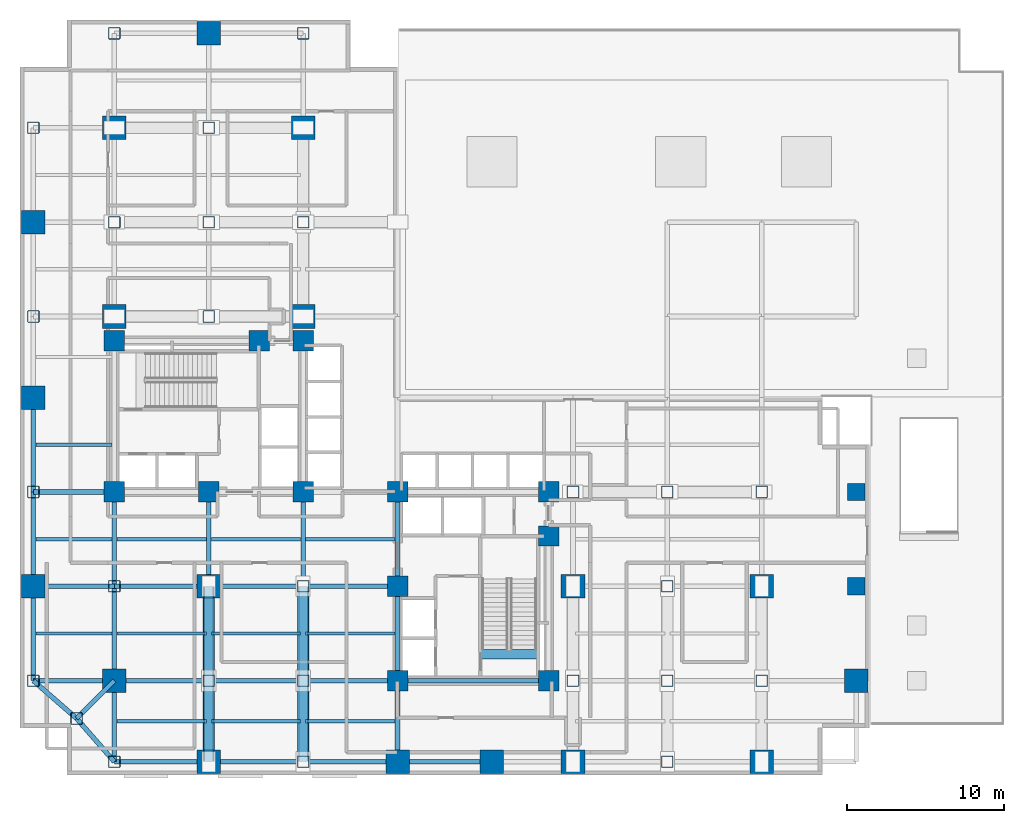
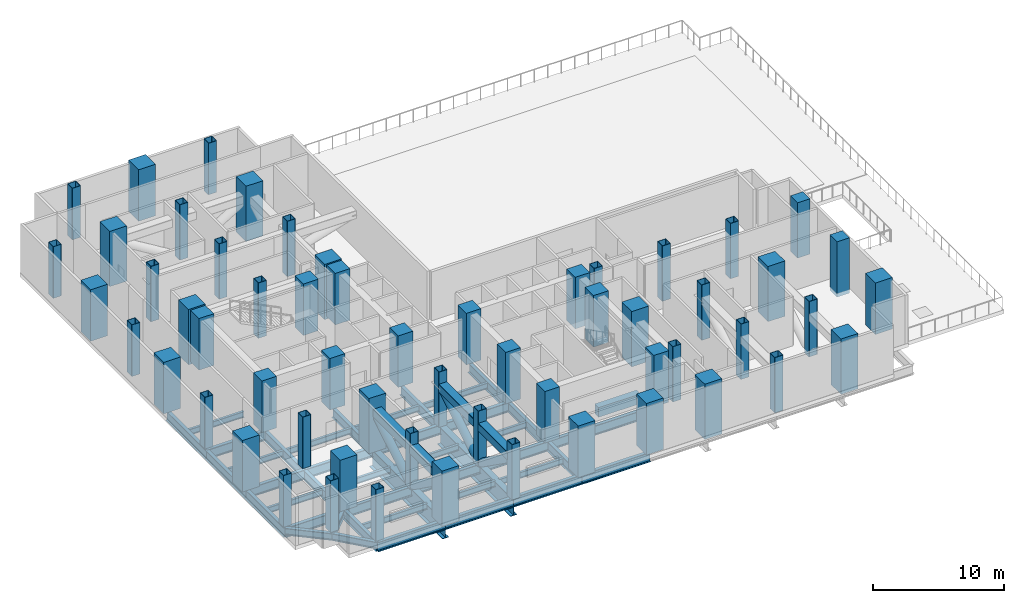
# One storey, part 1 of 8: 58 columns, 43 beams, 6 members.
"""IFC4 building model written with IfcOpenShell, lengths in metres."""

import ifcopenshell
import ifcopenshell.guid

model = None  # the IFC model being written
_history = None  # IfcOwnerHistory: only IFC2X3 demands one
_inside = {}  # id of a spatial element -> (the spatial element, [elements in it])
_under = {}  # id of a project, library or spatial element -> (it, [spatial elements below it])
_declared = {}  # id of a project -> (the project, [libraries it declares])
_typed = {}  # id of a type object -> (the type object, [elements of that type])
_made_of = {}  # id of a material, layer set ... -> (it, [elements and type objects made of it])


def new_model(schema):
    """Start an empty IFC model of exactly this schema.

    Asked for "IFC4X3", IfcOpenShell would pick the latest addendum, in which some entities
    have other attributes; the version numbers below select the first issue.
    IFC2X3 requires an IfcOwnerHistory on every rooted entity: one is made here for all.
    """
    global model, _history
    if schema == "IFC4X3":
        model = ifcopenshell.file(schema_version=(4, 3, 0, 0))
    else:
        model = ifcopenshell.file(schema=schema)
    _inside.clear()
    _under.clear()
    _declared.clear()
    _typed.clear()
    _made_of.clear()
    _history = None
    if model.schema == "IFC2X3":
        org = make("IfcOrganization", Name="unknown")
        user = make(
            "IfcPersonAndOrganization",
            ThePerson=make("IfcPerson", FamilyName="unknown"),
            TheOrganization=org,
        )
        app = make(
            "IfcApplication",
            ApplicationDeveloper=org,
            Version="unknown",
            ApplicationFullName="unknown",
            ApplicationIdentifier="unknown",
        )
        _history = make(
            "IfcOwnerHistory",
            OwningUser=user,
            OwningApplication=app,
            ChangeAction="ADDED",
            CreationDate=0,
        )
    return model


def make(cls, **values):
    """One entity of the class cls with the attributes given. An attribute that is None is left unset."""
    return model.create_entity(
        cls, **{name: value for name, value in values.items() if value is not None}
    )


def rooted(cls, **values):
    """An entity with a GlobalId (a new one), such as an element, a storey or a relation."""
    return make(cls, GlobalId=ifcopenshell.guid.new(), OwnerHistory=_history, **values)


def si_unit(unit_type, name, prefix=None):
    """IfcSIUnit, for example si_unit("LENGTHUNIT", "METRE", prefix="MILLI")."""
    return make("IfcSIUnit", UnitType=unit_type, Prefix=prefix, Name=name)


def assignment(units):
    """IfcUnitAssignment: the units of a project."""
    return None if units is None else make("IfcUnitAssignment", Units=units)


def point(xyz):
    """IfcCartesianPoint."""
    return None if xyz is None else make("IfcCartesianPoint", Coordinates=xyz)


def direction(xyz):
    """IfcDirection."""
    return None if xyz is None else make("IfcDirection", DirectionRatios=xyz)


def frame(location, z_axis=None, x_axis=None):
    """IfcAxis2Placement3D, a coordinate frame: its origin and axes. An axis left out is left unset."""
    return make(
        "IfcAxis2Placement3D",
        Location=point(location),
        Axis=direction(z_axis),
        RefDirection=direction(x_axis),
    )


def frame_2d(location, x_axis=None):
    """IfcAxis2Placement2D, a coordinate frame in the plane: its origin and x axis."""
    return make(
        "IfcAxis2Placement2D", Location=point(location), RefDirection=direction(x_axis)
    )


def origin():
    """The frame at (0, 0, 0) with its axes left unset."""
    return frame((0.0, 0.0, 0.0))


def origin_2d():
    """The frame at (0, 0) in the plane with its x axis left unset."""
    return frame_2d((0.0, 0.0))


def place(relative_to, where):
    """IfcLocalPlacement: puts the frame where relative to a parent placement (None: the world)."""
    return make(
        "IfcLocalPlacement", PlacementRelTo=relative_to, RelativePlacement=where
    )


def context(
    kind, dimensions, precision=None, world=None, true_north=None, identifier=None
):
    """IfcGeometricRepresentationContext, for example the 3D "Model" context."""
    return make(
        "IfcGeometricRepresentationContext",
        ContextIdentifier=identifier,
        ContextType=kind,
        CoordinateSpaceDimension=dimensions,
        Precision=precision,
        WorldCoordinateSystem=world,
        TrueNorth=true_north,
    )


def subcontext(parent, identifier, kind, view, scale=None):
    """IfcGeometricRepresentationSubContext, for example "Body" below "Model"."""
    return make(
        "IfcGeometricRepresentationSubContext",
        ContextIdentifier=identifier,
        ContextType=kind,
        ParentContext=parent,
        TargetScale=scale,
        TargetView=view,
    )


def project(units=None, contexts=None):
    """IfcProject with its units and contexts."""
    return rooted(
        "IfcProject",
        Name="project",
        RepresentationContexts=contexts,
        UnitsInContext=assignment(units),
    )


def spatial(cls, under=None, at=None, **own):
    """A site, building, storey or space (cls), placed at a placement, below another one or the project."""
    s = rooted(cls, ObjectPlacement=at, **own)
    if under is not None:
        _under.setdefault(under.id(), (under, []))[1].append(s)
    return s


def profile(cls, at=None, kind="AREA", **sizes):
    """A parametric profile (cls). Its sizes go by their IFC names, for example OverallWidth=200.0."""
    return make(cls, ProfileType=kind, Position=at, **sizes)


def rectangle(**sizes):
    """IfcRectangleProfileDef."""
    return profile("IfcRectangleProfileDef", **sizes)


def hollow_rectangle(**sizes):
    """IfcRectangleHollowProfileDef."""
    return profile("IfcRectangleHollowProfileDef", **sizes)


def hollow_circle(**sizes):
    """IfcCircleHollowProfileDef."""
    return profile("IfcCircleHollowProfileDef", **sizes)


def i_section(**sizes):
    """IfcIShapeProfileDef."""
    return profile("IfcIShapeProfileDef", **sizes)


def extrude(swept, where, along, depth):
    """IfcExtrudedAreaSolid: the profile swept, set in the frame where, extruded along a direction by depth."""
    return make(
        "IfcExtrudedAreaSolid",
        SweptArea=swept,
        Position=where,
        ExtrudedDirection=direction(along),
        Depth=depth,
    )


def shape(context_of_items, identifier, shape_type, items):
    """IfcShapeRepresentation: the items that make up one representation, for example the "Body"."""
    return make(
        "IfcShapeRepresentation",
        ContextOfItems=context_of_items,
        RepresentationIdentifier=identifier,
        RepresentationType=shape_type,
        Items=items,
    )


def material(Name=None, Category=None):
    """IfcMaterial."""
    return make("IfcMaterial", Name=Name, Category=Category)


def material_profile(
    of_material, cross_section, Name=None, Category=None, Priority=None
):
    """IfcMaterialProfile: a cross section and its material."""
    return make(
        "IfcMaterialProfile",
        Name=Name,
        Material=of_material,
        Profile=cross_section,
        Priority=Priority,
        Category=Category,
    )


def profile_set(profiles, Name=None, composite=None):
    """IfcMaterialProfileSet."""
    return make(
        "IfcMaterialProfileSet",
        Name=Name,
        MaterialProfiles=profiles,
        CompositeProfile=composite,
    )


def made_of(thing, what):
    """Note that an element or type object is made of a material, layer set ...; save() writes the relation."""
    if what is not None:
        _made_of.setdefault(what.id(), (what, []))[1].append(thing)
    return thing


def type_object(cls, material=None, **own):
    """A type object (cls), such as IfcWallType, which elements share."""
    return made_of(rooted(cls, **own), material)


def element(
    cls,
    number,
    at=None,
    inside=None,
    cuts=None,
    type_object=None,
    material=None,
    context=None,
    identifier="Body",
    shape_type=None,
    held_by="IfcProductDefinitionShape",
    body=None,
    shapes=None,
    **own,
):
    """One element of the class cls, such as IfcWall. Its Tag is "e" and its number.

    at: its placement. inside: the storey or other place that contains it. cuts: it is an
    opening in that element (IfcRelVoidsElement). A single representation is given by context,
    identifier, shape_type and body (its items); several are given by shapes. held_by: the class
    of the entity that holds the representations. save() writes the other relations.
    """
    e = rooted(cls, Tag="e%d" % number, ObjectPlacement=at, **own)
    if body is not None:
        shapes = [shape(context, identifier, shape_type, body)]
    if shapes is not None:
        e.Representation = make(held_by, Representations=shapes)
    if inside is not None:
        _inside.setdefault(inside.id(), (inside, []))[1].append(e)
    if cuts is not None:
        rooted(
            "IfcRelVoidsElement", RelatingBuildingElement=cuts, RelatedOpeningElement=e
        )
    if type_object is not None:
        _typed.setdefault(type_object.id(), (type_object, []))[1].append(e)
    return made_of(e, material)


def aggregate(whole, parts):
    """IfcRelAggregates: a whole, such as a stair, and the parts it consists of."""
    return rooted("IfcRelAggregates", RelatingObject=whole, RelatedObjects=parts)


def save(model, path):
    """Write the relations noted so far, then the file.

    IfcRelAggregates (storeys below a building ...), IfcRelContainedInSpatialStructure (elements
    in a storey), IfcRelDefinesByType, IfcRelAssociatesMaterial and IfcRelDeclares: one each for
    every whole, place, type object, material and project.
    """
    for whole, parts in _under.values():
        aggregate(whole, parts)
    for where, things in _inside.values():
        rooted(
            "IfcRelContainedInSpatialStructure",
            RelatedElements=things,
            RelatingStructure=where,
        )
    for kind, things in _typed.values():
        rooted("IfcRelDefinesByType", RelatedObjects=things, RelatingType=kind)
    for what, things in _made_of.values():
        rooted("IfcRelAssociatesMaterial", RelatedObjects=things, RelatingMaterial=what)
    for by, libraries in _declared.values():
        rooted("IfcRelDeclares", RelatingContext=by, RelatedDefinitions=libraries)
    model.write(path)


model = new_model("IFC4")

# Units and contexts
model_context = context("Model", 3, precision=1e-05, world=origin(), true_north=direction((0.0, 1.0)))
body_context = subcontext(model_context, "Body", "Model", "MODEL_VIEW")
ifc_project = project(units=[si_unit("LENGTHUNIT", "METRE"), si_unit("AREAUNIT", "SQUARE_METRE"), si_unit("VOLUMEUNIT", "CUBIC_METRE"), si_unit("PLANEANGLEUNIT", "RADIAN"), si_unit("MASSUNIT", "GRAM", prefix="KILO"), si_unit("THERMODYNAMICTEMPERATUREUNIT", "KELVIN"), si_unit("POWERUNIT", "WATT")], contexts=[model_context])

# Site, building, storey
site_placement = place(None, origin())
site = spatial("IfcSite", under=ifc_project, at=site_placement, CompositionType="ELEMENT")
building_placement = place(site_placement, origin())
building = spatial("IfcBuilding", under=site, at=building_placement, Name="Svarakhadi Broadcast Tower", CompositionType="ELEMENT")
storey_placement = place(building_placement, frame((0.0, 0.0, 27.60009765625)))
storey = spatial("IfcBuildingStorey", under=building, at=storey_placement, Name="L05", CompositionType="ELEMENT", Elevation=27.60009765625)

# Columns
ifc_material_1 = material(Name="Steel S460ML (IS 2062 E450BR)", Category="steel")
ifc_material_profile_1 = material_profile(ifc_material_1, hollow_rectangle(XDim=0.75, YDim=0.75, WallThickness=0.034912109375, InnerFilletRadius=0.034912109375, OuterFilletRadius=0.050048828125, at=origin_2d()), Name="BOX 750x750x35")
ifc_profile_set_1 = profile_set([ifc_material_profile_1], Name="Steel S460ML (IS 2062 E450BR)")
column_type_1 = type_object("IfcColumnType", Name="Col_BOX750", PredefinedType="COLUMN", material=ifc_profile_set_1)
for number, where, z_axis, x_axis, name in (
    (1, (3.60009765625, 3.60009765625, 0.0), (0.0, 0.0, 1.0), (1.0, 0.0, 0.0), "L05 Column G01"),
    (2, (0.85009765625, 6.0, 0.0), (0.0, 0.0, 1.0), (1.0, 0.0, 0.0), "L05 Column G03"),
    (3, (0.85009765625, 18.0, 0.0), (0.0, 0.0, 1.0), (1.0, 0.0, 0.0), "L05 Column G05"),
    (4, (0.85009765625, 29.14990234375, 0.0), (0.0, 0.0, 1.0), (1.0, 0.0, 0.0), "L05 Column G07"),
    (5, (0.85009765625, 41.14990234375, 0.0), (0.0, 0.0, 1.0), (1.0, 0.0, 0.0), "L05 Column G09"),
    (6, (6.0, 0.85009765625, 0.0), (0.0, 0.0, 1.0), (1.0, 0.0, 0.0), "L05 Column G11"),
    (7, (6.0, 12.0, 0.0), (0.0, 0.0, 1.0), (1.0, 0.0, 0.0), "L05 Column G13"),
):
    element("IfcColumn", number, at=place(storey_placement, frame(where, z_axis=z_axis, x_axis=x_axis)), inside=storey, type_object=column_type_1, Name=name, PredefinedType="COLUMN", context=body_context, shape_type="SweptSolid", body=[
        extrude(hollow_rectangle(XDim=0.75, YDim=0.75, WallThickness=0.034912109375, InnerFilletRadius=0.034912109375, OuterFilletRadius=0.050048828125, at=origin_2d()), origin(), (0.0, 0.0, 1.0), 4.7998046875),
    ])
column_1_placement = place(storey_placement, frame((6.0, 35.14990234375, -0.35009765625), z_axis=(0.0, 0.0, 1.0), x_axis=(1.0, 0.0, 0.0)))
element("IfcColumn", 8, at=column_1_placement, inside=storey, type_object=column_type_1, Name="L05 Column G15", PredefinedType="COLUMN", context=body_context, shape_type="SweptSolid", body=[
    extrude(hollow_rectangle(XDim=0.75, YDim=0.75, WallThickness=0.034912109375, InnerFilletRadius=0.034912109375, OuterFilletRadius=0.050048828125, at=origin_2d()), origin(), (0.0, 0.0, 1.0), 5.14990234375),
])
column_2_placement = place(storey_placement, frame((6.0, 47.14990234375, 0.0), z_axis=(0.0, 0.0, 1.0), x_axis=(1.0, 0.0, 0.0)))
element("IfcColumn", 9, at=column_2_placement, inside=storey, type_object=column_type_1, Name="L05 Column G17", PredefinedType="COLUMN", context=body_context, shape_type="SweptSolid", body=[
    extrude(hollow_rectangle(XDim=0.75, YDim=0.75, WallThickness=0.034912109375, InnerFilletRadius=0.034912109375, OuterFilletRadius=0.050048828125, at=origin_2d()), origin(), (0.0, 0.0, 1.0), 4.7998046875),
])
for number, where, z_axis, x_axis, name in (
    (10, (12.0, 6.0, -0.35009765625), (0.0, 0.0, 1.0), (1.0, 0.0, 0.0), "L05 Column G19"),
    (11, (12.0, 29.14990234375, -0.35009765625), (0.0, 0.0, 1.0), (1.0, 0.0, 0.0), "L05 Column G21"),
    (12, (12.0, 35.14990234375, -0.35009765625), (0.0, 0.0, 1.0), (1.0, 0.0, 0.0), "L05 Column G22"),
    (13, (12.0, 41.14990234375, -0.35009765625), (0.0, 0.0, 1.0), (1.0, 0.0, 0.0), "L05 Column G23"),
    (14, (18.0, 0.85009765625, -0.35009765625), (0.0, 0.0, 1.0), (1.0, 0.0, 0.0), "L05 Column G25"),
    (15, (18.0, 6.0, -0.35009765625), (0.0, 0.0, 1.0), (1.0, 0.0, 0.0), "L05 Column G26"),
    (16, (18.0, 12.0, -0.35009765625), (0.0, 0.0, 1.0), (1.0, 0.0, 0.0), "L05 Column G27"),
    (17, (18.0, 35.14990234375, -0.35009765625), (0.0, 0.0, 1.0), (1.0, 0.0, 0.0), "L05 Column G29"),
):
    element("IfcColumn", number, at=place(storey_placement, frame(where, z_axis=z_axis, x_axis=x_axis)), inside=storey, type_object=column_type_1, Name=name, PredefinedType="COLUMN", context=body_context, shape_type="SweptSolid", body=[
        extrude(hollow_rectangle(XDim=0.75, YDim=0.75, WallThickness=0.034912109375, InnerFilletRadius=0.034912109375, OuterFilletRadius=0.050048828125, at=origin_2d()), origin(), (0.0, 0.0, 1.0), 5.14990234375),
    ])
column_3_placement = place(storey_placement, frame((18.0, 47.14990234375, 0.0), z_axis=(0.0, 0.0, 1.0), x_axis=(1.0, 0.0, 0.0)))
element("IfcColumn", 18, at=column_3_placement, inside=storey, type_object=column_type_1, Name="L05 Column G31", PredefinedType="COLUMN", context=body_context, shape_type="SweptSolid", body=[
    extrude(hollow_rectangle(XDim=0.75, YDim=0.75, WallThickness=0.034912109375, InnerFilletRadius=0.034912109375, OuterFilletRadius=0.050048828125, at=origin_2d()), origin(), (0.0, 0.0, 1.0), 4.7998046875),
])
for number, where, z_axis, x_axis, name in (
    (19, (35.14990234375, 6.0, -0.35009765625), (0.0, 0.0, 1.0), (1.0, 0.0, 0.0), "L05 Column G39"),
    (20, (35.14990234375, 18.0, -0.35009765625), (0.0, 0.0, 1.0), (1.0, 0.0, 0.0), "L05 Column G41"),
    (21, (41.14990234375, 0.85009765625, -0.35009765625), (0.0, 0.0, 1.0), (1.0, 0.0, 0.0), "L05 Column G43"),
    (22, (41.14990234375, 6.0, -0.35009765625), (0.0, 0.0, 1.0), (1.0, 0.0, 0.0), "L05 Column G44"),
    (23, (41.14990234375, 12.0, -0.35009765625), (0.0, 0.0, 1.0), (1.0, 0.0, 0.0), "L05 Column G45"),
    (24, (41.14990234375, 18.0, -0.35009765625), (0.0, 0.0, 1.0), (1.0, 0.0, 0.0), "L05 Column G46"),
    (25, (47.14990234375, 6.0, -0.35009765625), (0.0, 0.0, 1.0), (1.0, 0.0, 0.0), "L05 Column G51"),
    (26, (47.14990234375, 18.0, -0.35009765625), (0.0, 0.0, 1.0), (1.0, 0.0, 0.0), "L05 Column G53"),
):
    element("IfcColumn", number, at=place(storey_placement, frame(where, z_axis=z_axis, x_axis=x_axis)), inside=storey, type_object=column_type_1, Name=name, PredefinedType="COLUMN", context=body_context, shape_type="SweptSolid", body=[
        extrude(hollow_rectangle(XDim=0.75, YDim=0.75, WallThickness=0.034912109375, InnerFilletRadius=0.034912109375, OuterFilletRadius=0.050048828125, at=origin_2d()), origin(), (0.0, 0.0, 1.0), 5.14990234375),
    ])
ifc_material_2 = material(Name="Concrete C50/60 (IS 456 M60)", Category="concrete")
ifc_material_profile_2 = material_profile(ifc_material_2, rectangle(XDim=1.10009765625, YDim=1.10009765625, at=origin_2d()), Name="RC 1100x1100")
ifc_profile_set_2 = profile_set([ifc_material_profile_2], Name="Concrete C50/60 (IS 456 M60)")
column_type_2 = type_object("IfcColumnType", Name="Col_RC1100", PredefinedType="COLUMN", material=ifc_profile_set_2)
for number, where, z_axis, x_axis, name in (
    (27, (53.14990234375, 12.0, -0.35009765625), (0.0, 0.0, 1.0), (1.0, 0.0, 0.0), "L05 Zone-1 East Stack Column ZT02"),
    (28, (53.14990234375, 18.0, -0.35009765625), (0.0, 0.0, 1.0), (1.0, 0.0, 0.0), "L05 Zone-1 East Stack Column ZT03"),
):
    element("IfcColumn", number, at=place(storey_placement, frame(where, z_axis=z_axis, x_axis=x_axis)), inside=storey, type_object=column_type_2, Name=name, PredefinedType="COLUMN", context=body_context, shape_type="SweptSolid", body=[
        extrude(rectangle(XDim=1.10009765625, YDim=1.10009765625, at=origin_2d()), origin(), (0.0, 0.0, 1.0), 5.14990234375),
    ])
ifc_material_3 = material(Name="Concrete C60/75 (IS 456 M70)", Category="concrete")
ifc_material_profile_3 = material_profile(ifc_material_3, rectangle(XDim=1.300048828125, YDim=1.300048828125, at=origin_2d()), Name="RC 1300x1300")
ifc_profile_set_3 = profile_set([ifc_material_profile_3], Name="Concrete C60/75 (IS 456 M70)")
column_type_3 = type_object("IfcColumnType", Name="Col_RC1300", PredefinedType="COLUMN", material=ifc_profile_set_3)
for number, where, z_axis, x_axis, name in (
    (29, (6.0, 18.0, 0.0), (0.0, 0.0, 1.0), (1.0, 0.0, 0.0), "L05 Column CW1"),
    (30, (12.0, 18.0, 0.0), (0.0, 0.0, 1.0), (1.0, 0.0, 0.0), "L05 Column CW2"),
    (31, (18.0, 18.0, 0.0), (0.0, 0.0, 1.0), (1.0, 0.0, 0.0), "L05 Column CW3"),
    (32, (6.0, 27.60009765625, 0.0), (0.0, 0.0, 1.0), (1.0, 0.0, 0.0), "L05 Column CW4"),
    (33, (15.199951171875, 27.60009765625, 0.0), (0.0, 0.0, 1.0), (1.0, 0.0, 0.0), "L05 Column CW5"),
    (34, (18.0, 27.60009765625, 0.0), (0.0, 0.0, 1.0), (1.0, 0.0, 0.0), "L05 Column CW6"),
    (35, (24.0, 6.0, 0.0), (0.0, 0.0, 1.0), (1.0, 0.0, 0.0), "L05 Column CE1"),
    (36, (24.0, 12.0, 0.0), (0.0, 0.0, 1.0), (1.0, 0.0, 0.0), "L05 Column CE2"),
    (37, (24.0, 18.0, 0.0), (0.0, 0.0, 1.0), (1.0, 0.0, 0.0), "L05 Column CE3"),
    (38, (33.60009765625, 6.0, 0.0), (0.0, 0.0, 1.0), (1.0, 0.0, 0.0), "L05 Column CE4"),
    (39, (33.60009765625, 15.199951171875, 0.0), (0.0, 0.0, 1.0), (1.0, 0.0, 0.0), "L05 Column CE5"),
    (40, (33.60009765625, 18.0, 0.0), (0.0, 0.0, 1.0), (1.0, 0.0, 0.0), "L05 Column CE6"),
):
    element("IfcColumn", number, at=place(storey_placement, frame(where, z_axis=z_axis, x_axis=x_axis)), inside=storey, type_object=column_type_3, Name=name, PredefinedType="COLUMN", context=body_context, shape_type="SweptSolid", body=[
        extrude(rectangle(XDim=1.300048828125, YDim=1.300048828125, at=origin_2d()), origin(), (0.0, 0.0, 1.0), 4.7998046875),
    ])
ifc_material_profile_4 = material_profile(ifc_material_3, rectangle(XDim=1.5, YDim=1.5, at=origin_2d()), Name="RC 1500x1500")
ifc_profile_set_4 = profile_set([ifc_material_profile_4], Name="Concrete C60/75 (IS 456 M70)")
column_type_4 = type_object("IfcColumnType", Name="Col_RC1500", PredefinedType="COLUMN", material=ifc_profile_set_4)
for number, where, z_axis, x_axis, name in (
    (41, (0.85009765625, 12.0, 0.0), (0.0, 0.0, 1.0), (1.0, 0.0, 0.0), "L05 Column G04"),
    (42, (0.85009765625, 24.0, 0.0), (0.0, 0.0, 1.0), (1.0, 0.0, 0.0), "L05 Column G06"),
    (43, (0.85009765625, 35.14990234375, 0.0), (0.0, 0.0, 1.0), (1.0, 0.0, 0.0), "L05 Column G08"),
    (44, (6.0, 6.0, 0.0), (0.0, 0.0, 1.0), (1.0, 0.0, 0.0), "L05 Column G12"),
):
    element("IfcColumn", number, at=place(storey_placement, frame(where, z_axis=z_axis, x_axis=x_axis)), inside=storey, type_object=column_type_4, Name=name, PredefinedType="COLUMN", context=body_context, shape_type="SweptSolid", body=[
        extrude(rectangle(XDim=1.5, YDim=1.5, at=origin_2d()), origin(), (0.0, 0.0, 1.0), 4.7998046875),
    ])
for number, where, z_axis, x_axis, name in (
    (45, (6.0, 29.14990234375, -0.35009765625), (0.0, 0.0, 1.0), (1.0, 0.0, 0.0), "L05 Column G14"),
    (46, (6.0, 41.14990234375, -0.35009765625), (0.0, 0.0, 1.0), (1.0, 0.0, 0.0), "L05 Column G16"),
    (47, (12.0, 0.85009765625, -0.35009765625), (0.0, 0.0, 1.0), (1.0, 0.0, 0.0), "L05 Column G18"),
    (48, (12.0, 12.0, -0.35009765625), (0.0, 0.0, 1.0), (1.0, 0.0, 0.0), "L05 Column G20"),
):
    element("IfcColumn", number, at=place(storey_placement, frame(where, z_axis=z_axis, x_axis=x_axis)), inside=storey, type_object=column_type_4, Name=name, PredefinedType="COLUMN", context=body_context, shape_type="SweptSolid", body=[
        extrude(rectangle(XDim=1.5, YDim=1.5, at=origin_2d()), origin(), (0.0, 0.0, 1.0), 5.14990234375),
    ])
column_4_placement = place(storey_placement, frame((12.0, 47.14990234375, 0.0), z_axis=(0.0, 0.0, 1.0), x_axis=(1.0, 0.0, 0.0)))
element("IfcColumn", 49, at=column_4_placement, inside=storey, type_object=column_type_4, Name="L05 Column G24", PredefinedType="COLUMN", context=body_context, shape_type="SweptSolid", body=[
    extrude(rectangle(XDim=1.5, YDim=1.5, at=origin_2d()), origin(), (0.0, 0.0, 1.0), 4.7998046875),
])
for number, where, z_axis, x_axis, name in (
    (50, (18.0, 29.14990234375, -0.35009765625), (0.0, 0.0, 1.0), (1.0, 0.0, 0.0), "L05 Column G28"),
    (51, (18.0, 41.14990234375, -0.35009765625), (0.0, 0.0, 1.0), (1.0, 0.0, 0.0), "L05 Column G30"),
):
    element("IfcColumn", number, at=place(storey_placement, frame(where, z_axis=z_axis, x_axis=x_axis)), inside=storey, type_object=column_type_4, Name=name, PredefinedType="COLUMN", context=body_context, shape_type="SweptSolid", body=[
        extrude(rectangle(XDim=1.5, YDim=1.5, at=origin_2d()), origin(), (0.0, 0.0, 1.0), 5.14990234375),
    ])
for number, where, z_axis, x_axis, name in (
    (52, (24.0, 0.85009765625, 0.0), (0.0, 0.0, 1.0), (1.0, 0.0, 0.0), "L05 Column G32"),
    (53, (30.0, 0.85009765625, 0.0), (0.0, 0.0, 1.0), (1.0, 0.0, 0.0), "L05 Column G36"),
):
    element("IfcColumn", number, at=place(storey_placement, frame(where, z_axis=z_axis, x_axis=x_axis)), inside=storey, type_object=column_type_4, Name=name, PredefinedType="COLUMN", context=body_context, shape_type="SweptSolid", body=[
        extrude(rectangle(XDim=1.5, YDim=1.5, at=origin_2d()), origin(), (0.0, 0.0, 1.0), 4.7998046875),
    ])
for number, where, z_axis, x_axis, name in (
    (54, (35.14990234375, 0.85009765625, -0.35009765625), (0.0, 0.0, 1.0), (1.0, 0.0, 0.0), "L05 Column G38"),
    (55, (35.14990234375, 12.0, -0.35009765625), (0.0, 0.0, 1.0), (1.0, 0.0, 0.0), "L05 Column G40"),
    (56, (47.14990234375, 0.85009765625, -0.35009765625), (0.0, 0.0, 1.0), (1.0, 0.0, 0.0), "L05 Column G50"),
    (57, (47.14990234375, 12.0, -0.35009765625), (0.0, 0.0, 1.0), (1.0, 0.0, 0.0), "L05 Column G52"),
):
    element("IfcColumn", number, at=place(storey_placement, frame(where, z_axis=z_axis, x_axis=x_axis)), inside=storey, type_object=column_type_4, Name=name, PredefinedType="COLUMN", context=body_context, shape_type="SweptSolid", body=[
        extrude(rectangle(XDim=1.5, YDim=1.5, at=origin_2d()), origin(), (0.0, 0.0, 1.0), 5.14990234375),
    ])
column_5_placement = place(storey_placement, frame((53.14990234375, 6.0, 0.0), z_axis=(0.0, 0.0, 1.0), x_axis=(1.0, 0.0, 0.0)))
element("IfcColumn", 58, at=column_5_placement, inside=storey, type_object=column_type_4, Name="L05 Column G58", PredefinedType="COLUMN", context=body_context, shape_type="SweptSolid", body=[
    extrude(rectangle(XDim=1.5, YDim=1.5, at=origin_2d()), origin(), (0.0, 0.0, 1.0), 4.7998046875),
])

# Beams
ifc_material_4 = material(Name="Steel S355J2 (IS 2062 E350C)", Category="steel")
ifc_material_profile_5 = material_profile(ifc_material_4, i_section(OverallWidth=0.2099609375, OverallDepth=0.550048828125, WebThickness=0.010986328125, FlangeThickness=0.01708984375, FilletRadius=0.02392578125, at=origin_2d()), Name="NPB 550x210x106")
ifc_profile_set_5 = profile_set([ifc_material_profile_5], Name="Steel S355J2 (IS 2062 E350C)")
beam_type_1 = type_object("IfcBeamType", Name="Beam_NPB550", PredefinedType="BEAM", material=ifc_profile_set_5)
for number, where, z_axis, x_axis, name in (
    (59, (1.010009765625, 9.0, -0.625), (1.0, 0.0, 0.0), (0.0, 1.0, 0.0), "L05 Secondary Composite Beam SB001"),
    (60, (1.010009765625, 15.0, -0.625), (1.0, 0.0, 0.0), (0.0, 1.0, 0.0), "L05 Secondary Composite Beam SB002"),
    (61, (1.010009765625, 21.0, -0.625), (1.0, 0.0, 0.0), (0.0, 1.0, 0.0), "L05 Secondary Composite Beam SB003"),
):
    element("IfcBeam", number, at=place(storey_placement, frame(where, z_axis=z_axis, x_axis=x_axis)), inside=storey, type_object=beam_type_1, Name=name, PredefinedType="BEAM", context=body_context, shape_type="SweptSolid", body=[
        extrude(i_section(OverallWidth=0.2099609375, OverallDepth=0.550048828125, WebThickness=0.010986328125, FlangeThickness=0.01708984375, FilletRadius=0.02392578125, at=origin_2d()), origin(), (0.0, 0.0, 1.0), 4.830078125),
    ])
for number, where, z_axis, x_axis, name in (
    (62, (6.159912109375, 3.425048828125, -0.625), (1.0, 0.0, 0.0), (0.0, 1.0, 0.0), "L05 Secondary Composite Beam SB007"),
    (63, (6.159912109375, 9.0, -0.625), (1.0, 0.0, 0.0), (0.0, 1.0, 0.0), "L05 Secondary Composite Beam SB008"),
    (64, (6.159912109375, 15.0, -0.625), (1.0, 0.0, 0.0), (0.0, 1.0, 0.0), "L05 Secondary Composite Beam SB009"),
    (65, (12.159912109375, 3.425048828125, -0.625), (1.0, 0.0, 0.0), (0.0, 1.0, 0.0), "L05 Secondary Composite Beam SB013"),
    (66, (12.159912109375, 9.0, -0.625), (1.0, 0.0, 0.0), (0.0, 1.0, 0.0), "L05 Secondary Composite Beam SB014"),
    (67, (12.159912109375, 15.0, -0.625), (1.0, 0.0, 0.0), (0.0, 1.0, 0.0), "L05 Secondary Composite Beam SB015"),
    (68, (18.159912109375, 3.425048828125, -0.625), (1.0, 0.0, 0.0), (0.0, 1.0, 0.0), "L05 Secondary Composite Beam SB019"),
    (69, (18.159912109375, 9.0, -0.625), (1.0, 0.0, 0.0), (0.0, 1.0, 0.0), "L05 Secondary Composite Beam SB020"),
    (70, (18.159912109375, 15.0, -0.625), (1.0, 0.0, 0.0), (0.0, 1.0, 0.0), "L05 Secondary Composite Beam SB021"),
):
    element("IfcBeam", number, at=place(storey_placement, frame(where, z_axis=z_axis, x_axis=x_axis)), inside=storey, type_object=beam_type_1, Name=name, PredefinedType="BEAM", context=body_context, shape_type="SweptSolid", body=[
        extrude(i_section(OverallWidth=0.2099609375, OverallDepth=0.550048828125, WebThickness=0.010986328125, FlangeThickness=0.01708984375, FilletRadius=0.02392578125, at=origin_2d()), origin(), (0.0, 0.0, 1.0), 5.68017578125),
    ])
ifc_material_profile_6 = material_profile(ifc_material_2, rectangle(XDim=0.60009765625, YDim=0.89990234375, at=origin_2d()), Name="RC 600x900")
ifc_profile_set_6 = profile_set([ifc_material_profile_6], Name="Concrete C50/60 (IS 456 M60)")
beam_type_2 = type_object("IfcBeamType", Name="Coupling_RC600", PredefinedType="USERDEFINED", material=ifc_profile_set_6)
beam_1_placement = place(storey_placement, frame((29.260009765625, 7.679931640625, -0.4501953125), z_axis=(1.0, 0.0, 0.0), x_axis=(0.0, 1.0, 0.0)))
element("IfcBeam", 71, at=beam_1_placement, inside=storey, type_object=beam_type_2, Name="L05 Stair ST-02 Landing Throat Trimmer Beam CB-01", ObjectType="GIRDER", PredefinedType="USERDEFINED", context=body_context, shape_type="SweptSolid", body=[
    extrude(rectangle(XDim=0.60009765625, YDim=0.89990234375, at=origin_2d()), origin(), (0.0, 0.0, 1.0), 3.679931640625),
])
ifc_material_profile_7 = material_profile(ifc_material_4, i_section(OverallWidth=0.300048828125, OverallDepth=0.64990234375, WebThickness=0.01611328125, FlangeThickness=0.031005859375, FilletRadius=0.027099609375, at=origin_2d()), Name="WPB 650x300x225")
ifc_profile_set_7 = profile_set([ifc_material_profile_7], Name="Steel S355J2 (IS 2062 E350C)")
beam_type_3 = type_object("IfcBeamType", Name="Girder_WPB650", PredefinedType="USERDEFINED", material=ifc_profile_set_7)
beam_2_placement = place(storey_placement, frame((3.60009765625, 3.60009765625, -0.675048828125), z_axis=(0.707106781187, 0.707106781187, 0.0), x_axis=(-0.707106781187, 0.707106781187, 0.0)))
element("IfcBeam", 72, at=beam_2_placement, inside=storey, type_object=beam_type_3, Name="L05 Corner Tie Girder G001", ObjectType="GIRDER", PredefinedType="USERDEFINED", context=body_context, shape_type="SweptSolid", body=[
    extrude(i_section(OverallWidth=0.300048828125, OverallDepth=0.64990234375, WebThickness=0.01611328125, FlangeThickness=0.031005859375, FilletRadius=0.027099609375, at=origin_2d()), origin(), (0.0, 0.0, 1.0), 3.39404296875),
])
for number, where, z_axis, x_axis, name in (
    (73, (3.60009765625, 3.60009765625, -0.675048828125), (-0.753437912176, 0.657519058655, 0.0), (-0.657519058655, -0.753437912176, 0.0), "L05 Corner Tie Girder G002"),
    (74, (3.60009765625, 3.60009765625, -0.675048828125), (0.657519058655, -0.753437912176, 0.0), (0.753437912176, 0.657519058655, 0.0), "L05 Corner Tie Girder G003"),
):
    element("IfcBeam", number, at=place(storey_placement, frame(where, z_axis=z_axis, x_axis=x_axis)), inside=storey, type_object=beam_type_3, Name=name, ObjectType="GIRDER", PredefinedType="USERDEFINED", context=body_context, shape_type="SweptSolid", body=[
        extrude(i_section(OverallWidth=0.300048828125, OverallDepth=0.64990234375, WebThickness=0.01611328125, FlangeThickness=0.031005859375, FilletRadius=0.027099609375, at=origin_2d()), origin(), (0.0, 0.0, 1.0), 3.64990234375),
    ])
ifc_material_profile_8 = material_profile(ifc_material_1, i_section(OverallWidth=0.300048828125, OverallDepth=0.89990234375, WebThickness=0.0185546875, FlangeThickness=0.034912109375, FilletRadius=0.030029296875, at=origin_2d()), Name="WPB 900x300x291")
ifc_profile_set_8 = profile_set([ifc_material_profile_8], Name="Steel S460ML (IS 2062 E450BR)")
beam_type_4 = type_object("IfcBeamType", Name="Girder_WPB900", PredefinedType="USERDEFINED", material=ifc_profile_set_8)
for number, where, z_axis, x_axis, name in (
    (75, (6.0, 0.85009765625, -0.800048828125), (1.0, 0.0, 0.0), (0.0, 1.0, 0.0), "L05 Primary E-W Girder G004"),
    (76, (12.0, 0.85009765625, -0.800048828125), (1.0, 0.0, 0.0), (0.0, 1.0, 0.0), "L05 Primary E-W Girder G005"),
    (77, (18.0, 0.85009765625, -0.800048828125), (1.0, 0.0, 0.0), (0.0, 1.0, 0.0), "L05 Primary E-W Girder G006"),
    (78, (24.0, 0.85009765625, -0.800048828125), (1.0, 0.0, 0.0), (0.0, 1.0, 0.0), "L05 Primary E-W Girder G007"),
):
    element("IfcBeam", number, at=place(storey_placement, frame(where, z_axis=z_axis, x_axis=x_axis)), inside=storey, type_object=beam_type_4, Name=name, ObjectType="GIRDER", PredefinedType="USERDEFINED", context=body_context, shape_type="SweptSolid", body=[
        extrude(i_section(OverallWidth=0.300048828125, OverallDepth=0.89990234375, WebThickness=0.0185546875, FlangeThickness=0.034912109375, FilletRadius=0.030029296875, at=origin_2d()), origin(), (0.0, 0.0, 1.0), 6.0),
    ])
beam_3_placement = place(storey_placement, frame((0.85009765625, 6.0, -0.800048828125), z_axis=(1.0, 0.0, 0.0), x_axis=(0.0, 1.0, 0.0)))
element("IfcBeam", 79, at=beam_3_placement, inside=storey, type_object=beam_type_4, Name="L05 Primary E-W Girder G012", ObjectType="GIRDER", PredefinedType="USERDEFINED", context=body_context, shape_type="SweptSolid", body=[
    extrude(i_section(OverallWidth=0.300048828125, OverallDepth=0.89990234375, WebThickness=0.0185546875, FlangeThickness=0.034912109375, FilletRadius=0.030029296875, at=origin_2d()), origin(), (0.0, 0.0, 1.0), 5.14990234375),
])
for number, where, z_axis, x_axis, name in (
    (80, (6.0, 6.0, -0.800048828125), (1.0, 0.0, 0.0), (0.0, 1.0, 0.0), "L05 Primary E-W Girder G013"),
    (81, (12.0, 6.0, -0.800048828125), (1.0, 0.0, 0.0), (0.0, 1.0, 0.0), "L05 Primary E-W Girder G014"),
    (82, (18.0, 6.0, -0.800048828125), (1.0, 0.0, 0.0), (0.0, 1.0, 0.0), "L05 Primary E-W Girder G015"),
):
    element("IfcBeam", number, at=place(storey_placement, frame(where, z_axis=z_axis, x_axis=x_axis)), inside=storey, type_object=beam_type_4, Name=name, ObjectType="GIRDER", PredefinedType="USERDEFINED", context=body_context, shape_type="SweptSolid", body=[
        extrude(i_section(OverallWidth=0.300048828125, OverallDepth=0.89990234375, WebThickness=0.0185546875, FlangeThickness=0.034912109375, FilletRadius=0.030029296875, at=origin_2d()), origin(), (0.0, 0.0, 1.0), 6.0),
    ])
beam_4_placement = place(storey_placement, frame((24.0, 6.0, -0.800048828125), z_axis=(1.0, 0.0, 0.0), x_axis=(0.0, 1.0, 0.0)))
element("IfcBeam", 83, at=beam_4_placement, inside=storey, type_object=beam_type_4, Name="L05 Primary E-W Girder G016", ObjectType="GIRDER", PredefinedType="USERDEFINED", context=body_context, shape_type="SweptSolid", body=[
    extrude(i_section(OverallWidth=0.300048828125, OverallDepth=0.89990234375, WebThickness=0.0185546875, FlangeThickness=0.034912109375, FilletRadius=0.030029296875, at=origin_2d()), origin(), (0.0, 0.0, 1.0), 9.60009765625),
])
beam_5_placement = place(storey_placement, frame((0.85009765625, 12.0, -0.800048828125), z_axis=(1.0, 0.0, 0.0), x_axis=(0.0, 1.0, 0.0)))
element("IfcBeam", 84, at=beam_5_placement, inside=storey, type_object=beam_type_4, Name="L05 Primary E-W Girder G020", ObjectType="GIRDER", PredefinedType="USERDEFINED", context=body_context, shape_type="SweptSolid", body=[
    extrude(i_section(OverallWidth=0.300048828125, OverallDepth=0.89990234375, WebThickness=0.0185546875, FlangeThickness=0.034912109375, FilletRadius=0.030029296875, at=origin_2d()), origin(), (0.0, 0.0, 1.0), 5.14990234375),
])
for number, where, z_axis, x_axis, name in (
    (85, (6.0, 12.0, -0.800048828125), (1.0, 0.0, 0.0), (0.0, 1.0, 0.0), "L05 Primary E-W Girder G021"),
    (86, (12.0, 12.0, -0.800048828125), (1.0, 0.0, 0.0), (0.0, 1.0, 0.0), "L05 Primary E-W Girder G022"),
    (87, (18.0, 12.0, -0.800048828125), (1.0, 0.0, 0.0), (0.0, 1.0, 0.0), "L05 Primary E-W Girder G023"),
):
    element("IfcBeam", number, at=place(storey_placement, frame(where, z_axis=z_axis, x_axis=x_axis)), inside=storey, type_object=beam_type_4, Name=name, ObjectType="GIRDER", PredefinedType="USERDEFINED", context=body_context, shape_type="SweptSolid", body=[
        extrude(i_section(OverallWidth=0.300048828125, OverallDepth=0.89990234375, WebThickness=0.0185546875, FlangeThickness=0.034912109375, FilletRadius=0.030029296875, at=origin_2d()), origin(), (0.0, 0.0, 1.0), 6.0),
    ])
beam_6_placement = place(storey_placement, frame((0.85009765625, 18.0, -0.800048828125), z_axis=(1.0, 0.0, 0.0), x_axis=(0.0, 1.0, 0.0)))
element("IfcBeam", 88, at=beam_6_placement, inside=storey, type_object=beam_type_4, Name="L05 Primary E-W Girder G026", ObjectType="GIRDER", PredefinedType="USERDEFINED", context=body_context, shape_type="SweptSolid", body=[
    extrude(i_section(OverallWidth=0.300048828125, OverallDepth=0.89990234375, WebThickness=0.0185546875, FlangeThickness=0.034912109375, FilletRadius=0.030029296875, at=origin_2d()), origin(), (0.0, 0.0, 1.0), 5.14990234375),
])
for number, where, z_axis, x_axis, name in (
    (89, (0.85009765625, 6.0, -0.800048828125), (0.0, 1.0, 0.0), (-1.0, 0.0, 0.0), "L05 Primary N-S Girder G048"),
    (90, (0.85009765625, 12.0, -0.800048828125), (0.0, 1.0, 0.0), (-1.0, 0.0, 0.0), "L05 Primary N-S Girder G049"),
    (91, (0.85009765625, 18.0, -0.800048828125), (0.0, 1.0, 0.0), (-1.0, 0.0, 0.0), "L05 Primary N-S Girder G050"),
):
    element("IfcBeam", number, at=place(storey_placement, frame(where, z_axis=z_axis, x_axis=x_axis)), inside=storey, type_object=beam_type_4, Name=name, ObjectType="GIRDER", PredefinedType="USERDEFINED", context=body_context, shape_type="SweptSolid", body=[
        extrude(i_section(OverallWidth=0.300048828125, OverallDepth=0.89990234375, WebThickness=0.0185546875, FlangeThickness=0.034912109375, FilletRadius=0.030029296875, at=origin_2d()), origin(), (0.0, 0.0, 1.0), 6.0),
    ])
beam_7_placement = place(storey_placement, frame((6.0, 0.85009765625, -0.800048828125), z_axis=(0.0, 1.0, 0.0), x_axis=(-1.0, 0.0, 0.0)))
element("IfcBeam", 92, at=beam_7_placement, inside=storey, type_object=beam_type_4, Name="L05 Primary N-S Girder G054", ObjectType="GIRDER", PredefinedType="USERDEFINED", context=body_context, shape_type="SweptSolid", body=[
    extrude(i_section(OverallWidth=0.300048828125, OverallDepth=0.89990234375, WebThickness=0.0185546875, FlangeThickness=0.034912109375, FilletRadius=0.030029296875, at=origin_2d()), origin(), (0.0, 0.0, 1.0), 5.14990234375),
])
for number, where, z_axis, x_axis, name in (
    (93, (6.0, 6.0, -0.800048828125), (0.0, 1.0, 0.0), (-1.0, 0.0, 0.0), "L05 Primary N-S Girder G055"),
    (94, (6.0, 12.0, -0.800048828125), (0.0, 1.0, 0.0), (-1.0, 0.0, 0.0), "L05 Primary N-S Girder G056"),
    (95, (12.0, 12.0, -0.800048828125), (0.0, 1.0, 0.0), (-1.0, 0.0, 0.0), "L05 Primary N-S Girder G063"),
    (96, (18.0, 12.0, -0.800048828125), (0.0, 1.0, 0.0), (-1.0, 0.0, 0.0), "L05 Primary N-S Girder G069"),
):
    element("IfcBeam", number, at=place(storey_placement, frame(where, z_axis=z_axis, x_axis=x_axis)), inside=storey, type_object=beam_type_4, Name=name, ObjectType="GIRDER", PredefinedType="USERDEFINED", context=body_context, shape_type="SweptSolid", body=[
        extrude(i_section(OverallWidth=0.300048828125, OverallDepth=0.89990234375, WebThickness=0.0185546875, FlangeThickness=0.034912109375, FilletRadius=0.030029296875, at=origin_2d()), origin(), (0.0, 0.0, 1.0), 6.0),
    ])
beam_8_placement = place(storey_placement, frame((24.0, 0.85009765625, -0.800048828125), z_axis=(0.0, 1.0, 0.0), x_axis=(-1.0, 0.0, 0.0)))
element("IfcBeam", 97, at=beam_8_placement, inside=storey, type_object=beam_type_4, Name="L05 Primary N-S Girder G074", ObjectType="GIRDER", PredefinedType="USERDEFINED", context=body_context, shape_type="SweptSolid", body=[
    extrude(i_section(OverallWidth=0.300048828125, OverallDepth=0.89990234375, WebThickness=0.0185546875, FlangeThickness=0.034912109375, FilletRadius=0.030029296875, at=origin_2d()), origin(), (0.0, 0.0, 1.0), 5.14990234375),
])
for number, where, z_axis, x_axis, name in (
    (98, (24.0, 6.0, -0.800048828125), (0.0, 1.0, 0.0), (-1.0, 0.0, 0.0), "L05 Primary N-S Girder G075"),
    (99, (24.0, 12.0, -0.800048828125), (0.0, 1.0, 0.0), (-1.0, 0.0, 0.0), "L05 Primary N-S Girder G076"),
):
    element("IfcBeam", number, at=place(storey_placement, frame(where, z_axis=z_axis, x_axis=x_axis)), inside=storey, type_object=beam_type_4, Name=name, ObjectType="GIRDER", PredefinedType="USERDEFINED", context=body_context, shape_type="SweptSolid", body=[
        extrude(i_section(OverallWidth=0.300048828125, OverallDepth=0.89990234375, WebThickness=0.0185546875, FlangeThickness=0.034912109375, FilletRadius=0.030029296875, at=origin_2d()), origin(), (0.0, 0.0, 1.0), 6.0),
    ])

# Members
ifc_material_profile_9 = material_profile(ifc_material_1, hollow_circle(Radius=0.35546875, WallThickness=0.034912109375, at=origin_2d()), Name="CHS 711x35")
ifc_profile_set_9 = profile_set([ifc_material_profile_9], Name="Steel S460ML (IS 2062 E450BR)")
member_type_1 = type_object("IfcMemberType", Name="Outrigger_Brace_OT01", PredefinedType="BRACE", material=ifc_profile_set_9)
member_1_placement = place(storey_placement, frame((12.0, 0.85009765625, 3.2998046875), z_axis=(0.0, 0.815870903417, -0.578234095292), x_axis=(-1.0, 0.0, 0.0)))
element("IfcMember", 100, at=member_1_placement, inside=storey, type_object=member_type_1, Name="L05 Podium Transfer Truss Diagonal TD-01A", PredefinedType="BRACE", context=body_context, shape_type="SweptSolid", body=[
    extrude(hollow_circle(Radius=0.35546875, WallThickness=0.034912109375, at=origin_2d()), origin(), (0.0, 0.0, 1.0), 6.312255859375),
])
member_2_placement = place(storey_placement, frame((12.0, 12.0, 3.2998046875), z_axis=(0.0, -0.854342179237, -0.519710920394), x_axis=(1.0, 0.0, 0.0)))
element("IfcMember", 101, at=member_2_placement, inside=storey, type_object=member_type_1, Name="L05 Podium Transfer Truss Diagonal TD-01B", PredefinedType="BRACE", context=body_context, shape_type="SweptSolid", body=[
    extrude(hollow_circle(Radius=0.35546875, WallThickness=0.034912109375, at=origin_2d()), origin(), (0.0, 0.0, 1.0), 7.02294921875),
])
member_3_placement = place(storey_placement, frame((18.0, 0.85009765625, 3.2998046875), z_axis=(0.0, 0.815870903417, -0.578234095292), x_axis=(-1.0, 0.0, 0.0)))
element("IfcMember", 102, at=member_3_placement, inside=storey, type_object=member_type_1, Name="L05 Podium Transfer Truss Diagonal TD-05A", PredefinedType="BRACE", context=body_context, shape_type="SweptSolid", body=[
    extrude(hollow_circle(Radius=0.35546875, WallThickness=0.034912109375, at=origin_2d()), origin(), (0.0, 0.0, 1.0), 6.312255859375),
])
member_4_placement = place(storey_placement, frame((18.0, 12.0, 3.2998046875), z_axis=(0.0, -0.854342179237, -0.519710920394), x_axis=(1.0, 0.0, 0.0)))
element("IfcMember", 103, at=member_4_placement, inside=storey, type_object=member_type_1, Name="L05 Podium Transfer Truss Diagonal TD-05B", PredefinedType="BRACE", context=body_context, shape_type="SweptSolid", body=[
    extrude(hollow_circle(Radius=0.35546875, WallThickness=0.034912109375, at=origin_2d()), origin(), (0.0, 0.0, 1.0), 7.02294921875),
])

# Beams
ifc_material_profile_10 = material_profile(ifc_material_1, i_section(OverallWidth=0.550048828125, OverallDepth=1.800048828125, WebThickness=0.028076171875, FlangeThickness=0.044921875, at=origin_2d()), Name="PG 1800x550x45")
ifc_profile_set_10 = profile_set([ifc_material_profile_10], Name="Steel S460ML (IS 2062 E450BR)")
beam_type_5 = type_object("IfcBeamType", Name="Transfer_Girder_TG01", PredefinedType="USERDEFINED", material=ifc_profile_set_10)
for number, where, z_axis, x_axis, name in (
    (104, (12.0, 0.85009765625, -1.25), (0.0, 1.0, 0.0), (-1.0, 0.0, 0.0), "L05 Studio Transfer Girder TG-01-01"),
    (105, (18.0, 0.85009765625, -1.25), (0.0, 1.0, 0.0), (-1.0, 0.0, 0.0), "L05 Studio Transfer Girder TG-01-05"),
):
    element("IfcBeam", number, at=place(storey_placement, frame(where, z_axis=z_axis, x_axis=x_axis)), inside=storey, type_object=beam_type_5, Name=name, ObjectType="GIRDER", PredefinedType="USERDEFINED", context=body_context, shape_type="SweptSolid", body=[
        extrude(i_section(OverallWidth=0.550048828125, OverallDepth=1.800048828125, WebThickness=0.028076171875, FlangeThickness=0.044921875, at=origin_2d()), origin(), (0.0, 0.0, 1.0), 11.14990234375),
    ])

# Members
ifc_material_profile_11 = material_profile(ifc_material_1, hollow_rectangle(XDim=0.75, YDim=0.75, WallThickness=0.034912109375, InnerFilletRadius=0.034912109375, OuterFilletRadius=0.050048828125, at=origin_2d()), Name="BOX 750x750x35")
ifc_profile_set_11 = profile_set([ifc_material_profile_11], Name="Steel S460ML (IS 2062 E450BR)")
member_type_2 = type_object("IfcMemberType", Name="Transfer_Truss_Chord", PredefinedType="CHORD", material=ifc_profile_set_11)
for number, where, z_axis, x_axis, name in (
    (106, (12.0, 0.85009765625, 3.2998046875), (0.0, 1.0, 0.0), (-1.0, 0.0, 0.0), "L05 Podium Transfer Truss Top Chord TC-01"),
    (107, (18.0, 0.85009765625, 3.2998046875), (0.0, 1.0, 0.0), (-1.0, 0.0, 0.0), "L05 Podium Transfer Truss Top Chord TC-05"),
):
    element("IfcMember", number, at=place(storey_placement, frame(where, z_axis=z_axis, x_axis=x_axis)), inside=storey, type_object=member_type_2, Name=name, PredefinedType="CHORD", context=body_context, shape_type="SweptSolid", body=[
        extrude(hollow_rectangle(XDim=0.75, YDim=0.75, WallThickness=0.034912109375, InnerFilletRadius=0.034912109375, OuterFilletRadius=0.050048828125, at=origin_2d()), origin(), (0.0, 0.0, 1.0), 11.14990234375),
    ])

save(model, "model.ifc")
